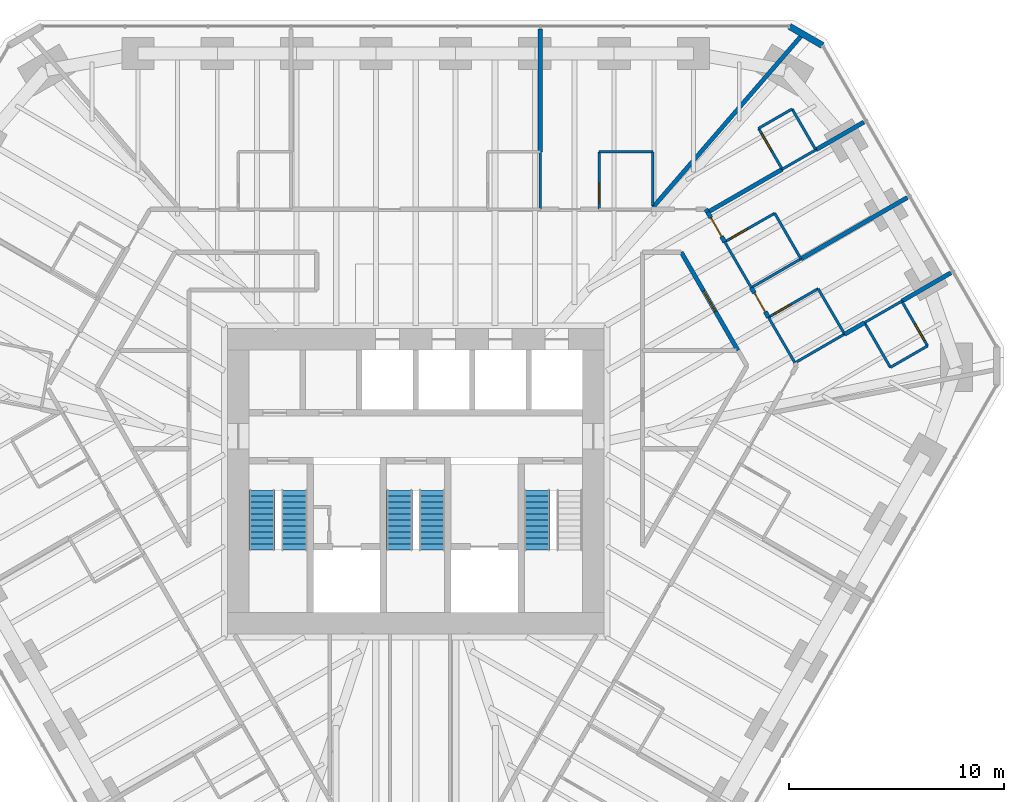
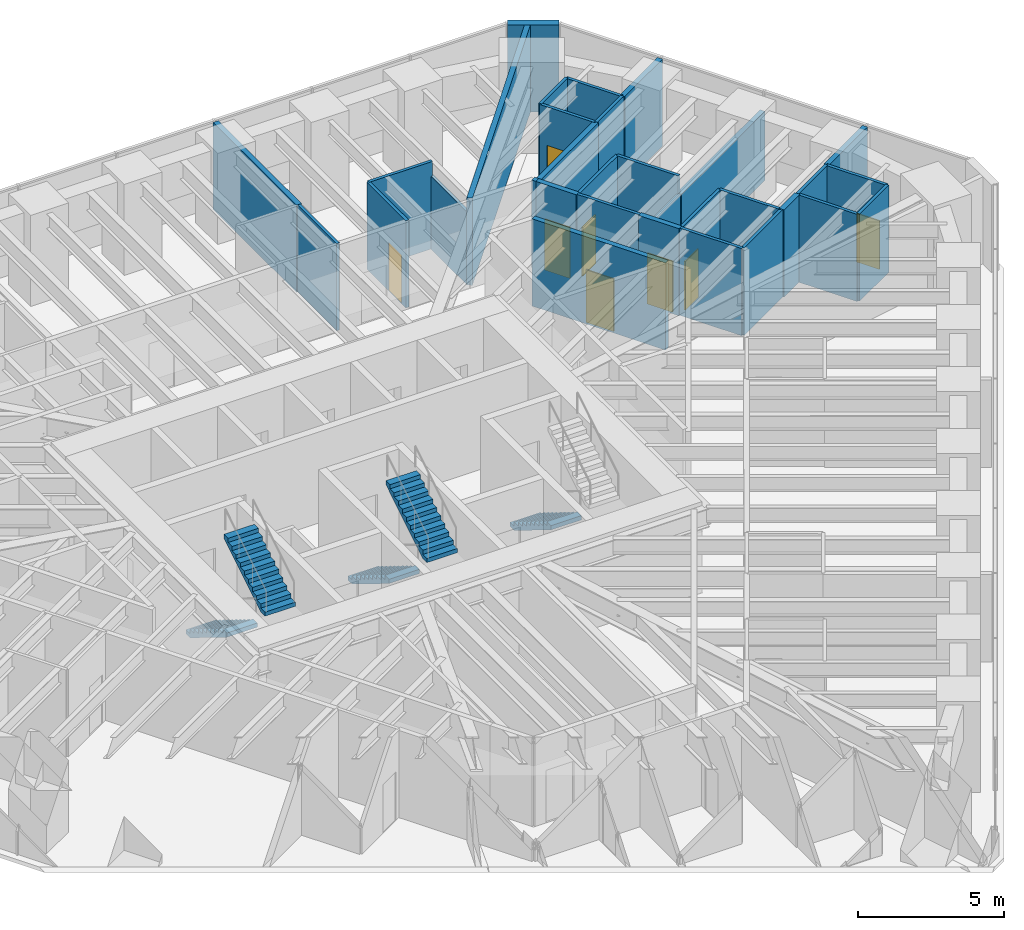
# One storey, part 15 of 17: 32 walls, 8 doors, 5 stair flights, 8 openings, 3 elements without a shape of their own.
"""IFC4 building model written with IfcOpenShell, lengths in metres."""

from ifc_helpers import new_model, si_unit, direction, frame, frame_2d, origin, place, context, subcontext, project, spatial, polyline, rectangle, outline, extrude, material, layer, layer_set, type_object, element, fill, aggregate, save


model = new_model("IFC4")

# Units and contexts
model_context = context("Model", 3, precision=1e-05, world=origin(), true_north=direction((0.0, 1.0)))
body_context = subcontext(model_context, "Body", "Model", "MODEL_VIEW")
ifc_project = project(units=[si_unit("LENGTHUNIT", "METRE"), si_unit("AREAUNIT", "SQUARE_METRE"), si_unit("VOLUMEUNIT", "CUBIC_METRE"), si_unit("PLANEANGLEUNIT", "RADIAN"), si_unit("MASSUNIT", "GRAM", prefix="KILO")], contexts=[model_context])

# Site, building, storey
site_placement = place(None, origin())
site = spatial("IfcSite", under=ifc_project, at=site_placement, CompositionType="ELEMENT")
building_placement = place(site_placement, origin())
building = spatial("IfcBuilding", under=site, at=building_placement, Name="Sandreach Pilgrim Tower", CompositionType="ELEMENT")
storey_placement = place(building_placement, frame((0.0, 0.0, 213.60009765625)))
storey = spatial("IfcBuildingStorey", under=building, at=storey_placement, Name="L53", CompositionType="ELEMENT", Elevation=213.60009765625)

# Wall
ifc_material_1 = material(Name="Moisture-resistant gypsum board on steel studs", Category="steel")
ifc_layer_1 = layer(ifc_material_1, 0.1201171875)
ifc_layer_set_1 = layer_set([ifc_layer_1], Name="Bathroom partition 120")
wall_type_1 = type_object("IfcWallType", Name="Bathroom partition 120", PredefinedType="PARTITIONING", material=ifc_layer_set_1)
wall_1_placement = place(storey_placement, frame((5.800048828125, 15.330078125, 0.0), z_axis=(0.0, 0.0, 1.0), x_axis=(0.0, -1.0, 0.0)))
element("IfcWall", 1, at=wall_1_placement, inside=storey, type_object=wall_type_1, Name="Bathroom partition L53-094", PredefinedType="PARTITIONING", context=body_context, shape_type="SweptSolid", body=[
    extrude(rectangle(XDim=2.670166015625, YDim=0.1201171875, at=frame_2d((1.3349609375, 0.0))), origin(), (0.0, 0.0, 1.0), 3.639892578125),
])

# Wall, opening, door
wall_2_placement = place(storey_placement, frame((8.530029296875, 15.330078125, 0.0), z_axis=(0.0, 0.0, 1.0), x_axis=(0.0, -1.0, 0.0)))
wall_2 = element("IfcWall", 2, at=wall_2_placement, inside=storey, type_object=wall_type_1, Name="Bathroom partition L53-104", PredefinedType="PARTITIONING", context=body_context, shape_type="SweptSolid", body=[
    extrude(rectangle(XDim=2.670166015625, YDim=0.1201171875, at=frame_2d((1.3349609375, 0.0))), origin(), (0.0, 0.0, 1.0), 3.639892578125),
])
opening_1_placement = place(wall_2_placement, frame((1.469970703125, 0.0, 0.0)))
opening_1 = element("IfcOpeningElement", 3, at=opening_1_placement, cuts=wall_2, Name="Opening D09-03B", PredefinedType="OPENING", context=body_context, shape_type="SweptSolid", body=[
    extrude(rectangle(XDim=0.89990234375, YDim=2.030029296875, at=frame_2d((0.449951171875, 1.01513671875))), frame((0.0, 0.06005859375, 0.0), z_axis=(0.0, -1.0, 0.0), x_axis=(1.0, 0.0, 0.0)), (0.0, 0.0, 1.0), 0.1201171875),
])
ifc_material_2 = material(Name="Timber door, steel frame", Category="steel")
door_type_1 = type_object("IfcDoorType", Name="Bathroom door", OperationType="SINGLE_SWING_LEFT", PredefinedType="DOOR", material=ifc_material_2)
door_1_placement = place(opening_1_placement, origin())
door_1 = element("IfcDoor", 4, at=door_1_placement, inside=storey, type_object=door_type_1, Name="Door 5303B", OperationType="SINGLE_SWING_RIGHT", OverallHeight=2.030029296875, OverallWidth=0.89990234375, PredefinedType="DOOR", context=body_context, shape_type="SweptSolid", body=[
    extrude(rectangle(XDim=0.89990234375, YDim=2.030029296875, at=frame_2d((0.449951171875, 1.01513671875))), frame((0.0, 0.02490234375, 0.0), z_axis=(0.0, -1.0, 0.0), x_axis=(1.0, 0.0, 0.0)), (0.0, 0.0, 1.0), 0.050048828125),
])
fill(opening_1, door_1)

# Walls
wall_3_placement = place(storey_placement, frame((11.030029296875, 12.830078125, 0.0), z_axis=(0.0, 0.0, 1.0), x_axis=(0.0, 1.0, 0.0)))
element("IfcWall", 5, at=wall_3_placement, inside=storey, type_object=wall_type_1, Name="Bathroom partition L53-115", PredefinedType="PARTITIONING", context=body_context, shape_type="SweptSolid", body=[
    extrude(rectangle(XDim=2.5, YDim=0.1201171875, at=frame_2d((1.25, 0.0))), origin(), (0.0, 0.0, 1.0), 3.037841796875),
])
wall_4_placement = place(storey_placement, frame((11.030029296875, 15.330078125, 0.0), z_axis=(0.0, 0.0, 1.0), x_axis=(-1.0, 0.0, 0.0)))
element("IfcWall", 6, at=wall_4_placement, inside=storey, type_object=wall_type_1, Name="Bathroom partition L53-116", PredefinedType="PARTITIONING", context=body_context, shape_type="SweptSolid", body=[
    extrude(rectangle(XDim=2.5, YDim=0.1201171875, at=frame_2d((1.25, 0.0))), origin(), (0.0, 0.0, 1.0), 3.639892578125),
])
wall_5_placement = place(storey_placement, frame((14.37548828125, 11.137451171875, 0.0), z_axis=(0.0, 0.0, 1.0), x_axis=(0.501931973027, -0.864907101632, 0.0)))
element("IfcWall", 7, at=wall_5_placement, inside=storey, type_object=wall_type_1, Name="Bathroom partition L53-126", PredefinedType="PARTITIONING", context=body_context, shape_type="SweptSolid", body=[
    extrude(rectangle(XDim=2.459716796875, YDim=0.1201171875, at=frame_2d((1.22998046875, 0.0))), origin(), (0.0, 0.0, 1.0), 3.639892578125),
])

# Wall, opening, door
wall_6_placement = place(storey_placement, frame((15.949951171875, 16.419921875, 0.0), z_axis=(0.0, 0.0, 1.0), x_axis=(0.501088872721, -0.865395829453, 0.0)))
wall_6 = element("IfcWall", 8, at=wall_6_placement, inside=storey, type_object=wall_type_1, Name="Bathroom partition L53-132", PredefinedType="PARTITIONING", context=body_context, shape_type="SweptSolid", body=[
    extrude(rectangle(XDim=2.1953125, YDim=0.1201171875, at=frame_2d((1.09765625, 0.0))), origin(), (0.0, 0.0, 1.0), 3.639892578125),
])
opening_2_placement = place(wall_6_placement, frame((0.300048828125, 0.0, 0.0)))
opening_2 = element("IfcOpeningElement", 9, at=opening_2_placement, cuts=wall_6, Name="Opening D09-04B", PredefinedType="OPENING", context=body_context, shape_type="SweptSolid", body=[
    extrude(rectangle(XDim=0.89990234375, YDim=2.030029296875, at=frame_2d((0.449951171875, 1.01513671875))), frame((0.0, 0.06005859375, 0.0), z_axis=(0.0, -1.0, 0.0), x_axis=(1.0, 0.0, 0.0)), (0.0, 0.0, 1.0), 0.1201171875),
])
door_2_placement = place(opening_2_placement, origin())
door_2 = element("IfcDoor", 10, at=door_2_placement, inside=storey, type_object=door_type_1, Name="Door 5304B", OperationType="SINGLE_SWING_LEFT", OverallHeight=2.030029296875, OverallWidth=0.89990234375, PredefinedType="DOOR", context=body_context, shape_type="SweptSolid", body=[
    extrude(rectangle(XDim=0.89990234375, YDim=2.030029296875, at=frame_2d((0.449951171875, 1.01513671875))), frame((0.0, 0.02490234375, 0.0), z_axis=(0.0, -1.0, 0.0), x_axis=(1.0, 0.0, 0.0)), (0.0, 0.0, 1.0), 0.050048828125),
])
fill(opening_2, door_2)

# Wall
wall_7_placement = place(storey_placement, frame((16.409912109375, 7.6298828125, 0.0), z_axis=(0.0, 0.0, 1.0), x_axis=(0.501856726365, -0.86495076519, 0.0)))
element("IfcWall", 11, at=wall_7_placement, inside=storey, type_object=wall_type_1, Name="Bathroom partition L53-136", PredefinedType="PARTITIONING", context=body_context, shape_type="SweptSolid", body=[
    extrude(rectangle(XDim=2.450927734375, YDim=0.1201171875, at=frame_2d((1.2255859375, 0.0))), origin(), (0.0, 0.0, 1.0), 3.639892578125),
])

# Wall, opening, door
wall_8_placement = place(storey_placement, frame((16.699951171875, 12.469970703125, 0.0), z_axis=(0.0, 0.0, 1.0), x_axis=(-0.867545659855, -0.497357545501, 0.0)))
wall_8 = element("IfcWall", 12, at=wall_8_placement, inside=storey, type_object=wall_type_1, Name="Bathroom partition L53-138", PredefinedType="PARTITIONING", context=body_context, shape_type="SweptSolid", body=[
    extrude(rectangle(XDim=2.67431640625, YDim=0.1201171875, at=frame_2d((1.337158203125, 0.0))), origin(), (0.0, 0.0, 1.0), 3.639892578125),
])
opening_3_placement = place(wall_8_placement, frame((1.47412109375, 0.0, 0.0)))
opening_3 = element("IfcOpeningElement", 13, at=opening_3_placement, cuts=wall_8, Name="Opening D09-05B", PredefinedType="OPENING", context=body_context, shape_type="SweptSolid", body=[
    extrude(rectangle(XDim=0.89990234375, YDim=2.030029296875, at=frame_2d((0.449951171875, 1.01513671875))), frame((0.0, 0.06005859375, 0.0), z_axis=(0.0, -1.0, 0.0), x_axis=(1.0, 0.0, 0.0)), (0.0, 0.0, 1.0), 0.1201171875),
])
door_3_placement = place(opening_3_placement, origin())
door_3 = element("IfcDoor", 14, at=door_3_placement, inside=storey, type_object=door_type_1, Name="Door 5305B", OperationType="SINGLE_SWING_RIGHT", OverallHeight=2.030029296875, OverallWidth=0.89990234375, PredefinedType="DOOR", context=body_context, shape_type="SweptSolid", body=[
    extrude(rectangle(XDim=0.89990234375, YDim=2.030029296875, at=frame_2d((0.449951171875, 1.01513671875))), frame((0.0, 0.02490234375, 0.0), z_axis=(0.0, -1.0, 0.0), x_axis=(1.0, 0.0, 0.0)), (0.0, 0.0, 1.0), 0.050048828125),
])
fill(opening_3, door_3)

# Walls
for number, where, z_axis, x_axis, name in (
    (15, (17.050048828125, 14.52001953125, 0.0), (0.0, 0.0, 1.0), (0.866670415019, 0.498881139883, 0.0), "Bathroom partition L53-139"),
    (16, (17.510009765625, 17.320068359375, 0.0), (0.0, 0.0, 1.0), (-0.866158505053, -0.499769390944, 0.0), "Bathroom partition L53-141"),
):
    element("IfcWall", number, at=place(storey_placement, frame(where, z_axis=z_axis, x_axis=x_axis)), inside=storey, type_object=wall_type_1, Name=name, PredefinedType="PARTITIONING", context=body_context, shape_type="SweptSolid", body=[
        extrude(rectangle(XDim=1.801025390625, YDim=0.1201171875, at=frame_2d((0.900390625, 0.0))), origin(), (0.0, 0.0, 1.0), 3.639892578125),
    ])
wall_9_placement = place(storey_placement, frame((17.639892578125, 5.510009765625, 0.0), z_axis=(0.0, 0.0, 1.0), x_axis=(0.86498992408, 0.501789229896, 0.0)))
element("IfcWall", 17, at=wall_9_placement, inside=storey, type_object=wall_type_1, Name="Bathroom partition L53-142", PredefinedType="PARTITIONING", context=body_context, shape_type="SweptSolid", body=[
    extrude(rectangle(XDim=2.670654296875, YDim=0.1201171875, at=frame_2d((1.33544921875, 0.0))), origin(), (0.0, 0.0, 1.0), 3.639892578125),
])
wall_10_placement = place(storey_placement, frame((17.919921875, 10.35009765625, 0.0), z_axis=(0.0, 0.0, 1.0), x_axis=(-0.864966903181, -0.501828911485, 0.0)))
element("IfcWall", 18, at=wall_10_placement, inside=storey, type_object=wall_type_1, Name="Bathroom partition L53-144", PredefinedType="PARTITIONING", context=body_context, shape_type="SweptSolid", body=[
    extrude(rectangle(XDim=2.67041015625, YDim=0.1201171875, at=frame_2d((1.335205078125, 0.0))), origin(), (0.0, 0.0, 1.0), 2.8779296875),
])
wall_11_placement = place(storey_placement, frame((17.919921875, 10.35009765625, 0.0), z_axis=(0.0, 0.0, 1.0), x_axis=(-0.498791783817, 0.866721844883, 0.0)))
element("IfcWall", 19, at=wall_11_placement, inside=storey, type_object=wall_type_1, Name="Bathroom partition L53-145", PredefinedType="PARTITIONING", context=body_context, shape_type="SweptSolid", body=[
    extrude(rectangle(XDim=2.44580078125, YDim=0.1201171875, at=frame_2d((1.222900390625, 0.0))), origin(), (0.0, 0.0, 1.0), 3.639892578125),
])
wall_12_placement = place(storey_placement, frame((18.610107421875, 15.419921875, 0.0), z_axis=(0.0, 0.0, 1.0), x_axis=(-0.501040653706, 0.865423747845, 0.0)))
element("IfcWall", 20, at=wall_12_placement, inside=storey, type_object=wall_type_1, Name="Bathroom partition L53-147", PredefinedType="PARTITIONING", context=body_context, shape_type="SweptSolid", body=[
    extrude(rectangle(XDim=2.195556640625, YDim=0.1201171875, at=frame_2d((1.09765625, 0.0))), origin(), (0.0, 0.0, 1.0), 3.639892578125),
])

# Wall, opening, door
wall_13_placement = place(storey_placement, frame((18.719970703125, 8.9599609375, 0.0), z_axis=(0.0, 0.0, 1.0), x_axis=(-0.866654860089, -0.498908161372, 0.0)))
wall_13 = element("IfcWall", 21, at=wall_13_placement, inside=storey, type_object=wall_type_1, Name="Bathroom partition L53-149", PredefinedType="PARTITIONING", context=body_context, shape_type="SweptSolid", body=[
    extrude(rectangle(XDim=2.66552734375, YDim=0.1201171875, at=frame_2d((1.332763671875, 0.0))), origin(), (0.0, 0.0, 1.0), 3.639892578125),
])
opening_4_placement = place(wall_13_placement, frame((1.465576171875, 0.0, 0.0)))
opening_4 = element("IfcOpeningElement", 22, at=opening_4_placement, cuts=wall_13, Name="Opening D09-06B", PredefinedType="OPENING", context=body_context, shape_type="SweptSolid", body=[
    extrude(rectangle(XDim=0.89990234375, YDim=2.030029296875, at=frame_2d((0.449951171875, 1.01513671875))), frame((0.0, 0.06005859375, 0.0), z_axis=(0.0, -1.0, 0.0), x_axis=(1.0, 0.0, 0.0)), (0.0, 0.0, 1.0), 0.1201171875),
])
door_4_placement = place(opening_4_placement, origin())
door_4 = element("IfcDoor", 23, at=door_4_placement, inside=storey, type_object=door_type_1, Name="Door 5306B", OperationType="SINGLE_SWING_RIGHT", OverallHeight=2.030029296875, OverallWidth=0.89990234375, PredefinedType="DOOR", context=body_context, shape_type="SweptSolid", body=[
    extrude(rectangle(XDim=0.89990234375, YDim=2.030029296875, at=frame_2d((0.449951171875, 1.01513671875))), frame((0.0, 0.02490234375, 0.0), z_axis=(0.0, -1.0, 0.0), x_axis=(1.0, 0.0, 0.0)), (0.0, 0.0, 1.0), 0.050048828125),
])
fill(opening_4, door_4)

# Walls
wall_14_placement = place(storey_placement, frame((19.949951171875, 6.85009765625, 0.0), z_axis=(0.0, 0.0, 1.0), x_axis=(-0.503634814725, 0.863916647251, 0.0)))
element("IfcWall", 24, at=wall_14_placement, inside=storey, type_object=wall_type_1, Name="Bathroom partition L53-150", PredefinedType="PARTITIONING", context=body_context, shape_type="SweptSolid", body=[
    extrude(rectangle(XDim=2.442138671875, YDim=0.1201171875, at=frame_2d((1.22119140625, 0.0))), origin(), (0.0, 0.0, 1.0), 3.639892578125),
])
wall_15_placement = place(storey_placement, frame((20.878173828125, 7.383056640625, 0.0), z_axis=(0.0, 0.0, 1.0), x_axis=(0.866697688948, 0.498833755847, 0.0)))
element("IfcWall", 25, at=wall_15_placement, inside=storey, type_object=wall_type_1, Name="Bathroom partition L53-151", PredefinedType="PARTITIONING", context=body_context, shape_type="SweptSolid", body=[
    extrude(rectangle(XDim=1.998291015625, YDim=0.1201171875, at=frame_2d((0.9990234375, 0.0))), origin(), (0.0, 0.0, 1.0), 3.639892578125),
])
wall_16_placement = place(storey_placement, frame((20.8798828125, 7.3798828125, 0.0), z_axis=(0.0, 0.0, 1.0), x_axis=(0.499813401482, -0.866133109688, 0.0)))
element("IfcWall", 26, at=wall_16_placement, inside=storey, type_object=wall_type_1, Name="Bathroom partition L53-153", PredefinedType="PARTITIONING", context=body_context, shape_type="SweptSolid", body=[
    extrude(rectangle(XDim=2.4013671875, YDim=0.1201171875, at=frame_2d((1.20068359375, 0.0))), origin(), (0.0, 0.0, 1.0), 3.639892578125),
])
wall_17_placement = place(storey_placement, frame((22.080078125, 5.300048828125, 0.0), z_axis=(0.0, 0.0, 1.0), x_axis=(0.865766263046, 0.50044857655, 0.0)))
element("IfcWall", 27, at=wall_17_placement, inside=storey, type_object=wall_type_1, Name="Bathroom partition L53-154", PredefinedType="PARTITIONING", context=body_context, shape_type="SweptSolid", body=[
    extrude(rectangle(XDim=1.998291015625, YDim=0.1201171875, at=frame_2d((0.9990234375, 0.0))), origin(), (0.0, 0.0, 1.0), 3.639892578125),
])

# Wall, opening, door
wall_18_placement = place(storey_placement, frame((23.81005859375, 6.300048828125, 0.0), z_axis=(0.0, 0.0, 1.0), x_axis=(-0.499737123639, 0.866177122335, 0.0)))
wall_18 = element("IfcWall", 28, at=wall_18_placement, inside=storey, type_object=wall_type_1, Name="Bathroom partition L53-156", PredefinedType="PARTITIONING", context=body_context, shape_type="SweptSolid", body=[
    extrude(rectangle(XDim=2.401123046875, YDim=0.1201171875, at=frame_2d((1.20068359375, 0.0))), origin(), (0.0, 0.0, 1.0), 3.639892578125),
])
opening_5_placement = place(wall_18_placement, frame((0.300048828125, 0.0, 0.0)))
opening_5 = element("IfcOpeningElement", 29, at=opening_5_placement, cuts=wall_18, Name="Opening D09-07B", PredefinedType="OPENING", context=body_context, shape_type="SweptSolid", body=[
    extrude(rectangle(XDim=0.89990234375, YDim=2.030029296875, at=frame_2d((0.449951171875, 1.01513671875))), frame((0.0, 0.06005859375, 0.0), z_axis=(0.0, -1.0, 0.0), x_axis=(1.0, 0.0, 0.0)), (0.0, 0.0, 1.0), 0.1201171875),
])
door_5_placement = place(opening_5_placement, origin())
door_5 = element("IfcDoor", 30, at=door_5_placement, inside=storey, type_object=door_type_1, Name="Door 5307B", OperationType="SINGLE_SWING_LEFT", OverallHeight=2.030029296875, OverallWidth=0.89990234375, PredefinedType="DOOR", context=body_context, shape_type="SweptSolid", body=[
    extrude(rectangle(XDim=0.89990234375, YDim=2.030029296875, at=frame_2d((0.449951171875, 1.01513671875))), frame((0.0, 0.02490234375, 0.0), z_axis=(0.0, -1.0, 0.0), x_axis=(1.0, 0.0, 0.0)), (0.0, 0.0, 1.0), 0.050048828125),
])
fill(opening_5, door_5)

ifc_material_3 = material(Name="Gypsum board on steel studs, two layers each side", Category="steel")
ifc_layer_2 = layer(ifc_material_3, 0.199951171875)
ifc_layer_set_2 = layer_set([ifc_layer_2], Name="Corridor wall 200")
wall_type_2 = type_object("IfcWallType", Name="Corridor wall 200", PredefinedType="PARTITIONING", material=ifc_layer_set_2)
wall_19_placement = place(storey_placement, frame((12.35009765625, 10.659912109375, 0.0), z_axis=(0.0, 0.0, 1.0), x_axis=(0.500213626659, -0.86590203124, 0.0)))
wall_19 = element("IfcWall", 31, at=wall_19_placement, inside=storey, type_object=wall_type_2, Name="Corridor wall L53-119", PredefinedType="PARTITIONING", context=body_context, shape_type="SweptSolid", body=[
    extrude(rectangle(XDim=5.277587890625, YDim=0.199951171875, at=frame_2d((2.638671875, 0.0))), origin(), (0.0, 0.0, 1.0), 3.639892578125),
])
opening_6_placement = place(wall_19_placement, frame((2.0888671875, 0.0, 0.0)))
opening_6 = element("IfcOpeningElement", 32, at=opening_6_placement, cuts=wall_19, Name="Opening D11H-M05", PredefinedType="OPENING", context=body_context, shape_type="SweptSolid", body=[
    extrude(rectangle(XDim=1.10009765625, YDim=2.199951171875, at=frame_2d((0.550048828125, 1.10009765625))), frame((0.0, 0.10009765625, 0.0), z_axis=(0.0, -1.0, 0.0), x_axis=(1.0, 0.0, 0.0)), (0.0, 0.0, 1.0), 0.199951171875),
])
ifc_material_4 = material(Name="Steel door and frame", Category="steel")
door_type_2 = type_object("IfcDoorType", Name="Back of house door", OperationType="SINGLE_SWING_LEFT", PredefinedType="DOOR", material=ifc_material_4)
door_6_placement = place(opening_6_placement, origin())
door_6 = element("IfcDoor", 33, at=door_6_placement, inside=storey, type_object=door_type_2, Name="Door 53M05", OperationType="SINGLE_SWING_LEFT", OverallHeight=2.199951171875, OverallWidth=1.10009765625, PredefinedType="DOOR", context=body_context, shape_type="SweptSolid", body=[
    extrude(rectangle(XDim=1.10009765625, YDim=2.199951171875, at=frame_2d((0.550048828125, 1.10009765625))), frame((0.0, 0.02490234375, 0.0), z_axis=(0.0, -1.0, 0.0), x_axis=(1.0, 0.0, 0.0)), (0.0, 0.0, 1.0), 0.050048828125),
])
fill(opening_6, door_6)

# Wall
wall_20_placement = place(storey_placement, frame((13.5, 12.659912109375, 0.0), z_axis=(0.0, 0.0, 1.0), x_axis=(0.498194987799, -0.867065023013, 0.0)))
element("IfcWall", 34, at=wall_20_placement, inside=storey, type_object=wall_type_2, Name="Corridor wall L53-122", PredefinedType="PARTITIONING", context=body_context, shape_type="SweptSolid", body=[
    extrude(rectangle(XDim=0.166015625, YDim=0.199951171875, at=frame_2d((0.0830078125, 0.0))), origin(), (0.0, 0.0, 1.0), 3.639892578125),
])

# Wall, opening, door
wall_21_placement = place(storey_placement, frame((13.582763671875, 12.515869140625, 0.0), z_axis=(0.0, 0.0, 1.0), x_axis=(0.498534585837, -0.866869809559, 0.0)))
wall_21 = element("IfcWall", 35, at=wall_21_placement, inside=storey, type_object=wall_type_2, Name="Corridor wall L53-123", PredefinedType="PARTITIONING", context=body_context, shape_type="SweptSolid", body=[
    extrude(rectangle(XDim=1.590087890625, YDim=0.199951171875, at=frame_2d((0.794921875, 0.0))), origin(), (0.0, 0.0, 1.0), 3.639892578125),
])
opening_7_placement = place(wall_21_placement, frame((0.295166015625, 0.0, 0.0)))
opening_7 = element("IfcOpeningElement", 36, at=opening_7_placement, cuts=wall_21, Name="Opening D10-05", PredefinedType="OPENING", context=body_context, shape_type="SweptSolid", body=[
    extrude(rectangle(XDim=1.0, YDim=2.1298828125, at=frame_2d((0.5, 1.06494140625))), frame((0.0, 0.10009765625, 0.0), z_axis=(0.0, -1.0, 0.0), x_axis=(1.0, 0.0, 0.0)), (0.0, 0.0, 1.0), 0.199951171875),
])
ifc_material_5 = material(Name="Steel door and frame", Category="steel")
door_type_3 = type_object("IfcDoorType", Name="Guest room entry door", OperationType="SINGLE_SWING_LEFT", PredefinedType="DOOR", material=ifc_material_5)
door_7_placement = place(opening_7_placement, origin())
door_7 = element("IfcDoor", 37, at=door_7_placement, inside=storey, type_object=door_type_3, Name="Door 5305", OperationType="SINGLE_SWING_LEFT", OverallHeight=2.1298828125, OverallWidth=1.0, PredefinedType="DOOR", context=body_context, shape_type="SweptSolid", body=[
    extrude(rectangle(XDim=1.0, YDim=2.1298828125, at=frame_2d((0.5, 1.06494140625))), frame((0.0, 0.02490234375, 0.0), z_axis=(0.0, -1.0, 0.0), x_axis=(1.0, 0.0, 0.0)), (0.0, 0.0, 1.0), 0.050048828125),
])
fill(opening_7, door_7)

wall_22_placement = place(storey_placement, frame((15.610107421875, 9.010009765625, 0.0), z_axis=(0.0, 0.0, 1.0), x_axis=(0.5014706583, -0.865174652232, 0.0)))
wall_22 = element("IfcWall", 38, at=wall_22_placement, inside=storey, type_object=wall_type_2, Name="Corridor wall L53-131", PredefinedType="PARTITIONING", context=body_context, shape_type="SweptSolid", body=[
    extrude(rectangle(XDim=1.594970703125, YDim=0.199951171875, at=frame_2d((0.79736328125, 0.0))), origin(), (0.0, 0.0, 1.0), 3.639892578125),
])
opening_8_placement = place(wall_22_placement, frame((0.297607421875, 0.0, 0.0)))
opening_8 = element("IfcOpeningElement", 39, at=opening_8_placement, cuts=wall_22, Name="Opening D10-06", PredefinedType="OPENING", context=body_context, shape_type="SweptSolid", body=[
    extrude(rectangle(XDim=1.0, YDim=2.1298828125, at=frame_2d((0.5, 1.06494140625))), frame((0.0, 0.10009765625, 0.0), z_axis=(0.0, -1.0, 0.0), x_axis=(1.0, 0.0, 0.0)), (0.0, 0.0, 1.0), 0.199951171875),
])
door_8_placement = place(opening_8_placement, origin())
door_8 = element("IfcDoor", 40, at=door_8_placement, inside=storey, type_object=door_type_3, Name="Door 5306", OperationType="SINGLE_SWING_LEFT", OverallHeight=2.1298828125, OverallWidth=1.0, PredefinedType="DOOR", context=body_context, shape_type="SweptSolid", body=[
    extrude(rectangle(XDim=1.0, YDim=2.1298828125, at=frame_2d((0.5, 1.06494140625))), frame((0.0, 0.02490234375, 0.0), z_axis=(0.0, -1.0, 0.0), x_axis=(1.0, 0.0, 0.0)), (0.0, 0.0, 1.0), 0.050048828125),
])
fill(opening_8, door_8)

# Walls
ifc_material_6 = material(Name="Double steel stud acoustic wall, gypsum board", Category="steel")
ifc_layer_3 = layer(ifc_material_6, 0.199951171875)
ifc_layer_set_3 = layer_set([ifc_layer_3], Name="Party wall 200")
wall_type_3 = type_object("IfcWallType", Name="Party wall 200", PredefinedType="PARTITIONING", material=ifc_layer_set_3)
wall_23_placement = place(storey_placement, frame((5.800048828125, 21.0400390625, 0.0), z_axis=(0.0, 0.0, 1.0), x_axis=(0.0, -1.0, 0.0)))
element("IfcWall", 41, at=wall_23_placement, inside=storey, type_object=wall_type_3, Name="Party wall L53-095", PredefinedType="PARTITIONING", context=body_context, shape_type="SweptSolid", body=[
    extrude(rectangle(XDim=5.7099609375, YDim=0.199951171875, at=frame_2d((2.85498046875, 0.0))), origin(), (0.0, 0.0, 1.0), 3.639892578125),
])
wall_24_placement = place(storey_placement, frame((11.039794921875, 12.751220703125, 0.0), z_axis=(0.0, 0.0, 1.0), x_axis=(0.654384042683, 0.756162366613, 0.0)))
element("IfcWall", 42, at=wall_24_placement, inside=storey, type_object=wall_type_3, Name="Party wall L53-117", PredefinedType="PARTITIONING", context=body_context, shape_type="SweptSolid", body=[
    extrude(rectangle(XDim=10.667236328125, YDim=0.199951171875, at=frame_2d((5.33349609375, 0.0))), origin(), (0.0, 0.0, 1.0), 3.639892578125),
])
wall_25_placement = place(storey_placement, frame((13.59423828125, 12.5224609375, 0.0), z_axis=(0.0, 0.0, 1.0), x_axis=(0.866085778049, 0.499895414124, 0.0)))
element("IfcWall", 43, at=wall_25_placement, inside=storey, type_object=wall_type_3, Name="Party wall L53-124", PredefinedType="PARTITIONING", context=body_context, shape_type="SweptSolid", body=[
    extrude(rectangle(XDim=3.991455078125, YDim=0.199951171875, at=frame_2d((1.99560546875, 0.0))), origin(), (0.0, 0.0, 1.0), 3.639892578125),
])
wall_26_placement = place(storey_placement, frame((17.922607421875, 10.345458984375, 0.0), z_axis=(0.0, 0.0, 1.0), x_axis=(0.865991848905, 0.500058114253, 0.0)))
element("IfcWall", 44, at=wall_26_placement, inside=storey, type_object=wall_type_3, Name="Party wall L53-146", PredefinedType="PARTITIONING", context=body_context, shape_type="SweptSolid", body=[
    extrude(rectangle(XDim=5.708251953125, YDim=0.199951171875, at=frame_2d((2.85400390625, 0.0))), origin(), (0.0, 0.0, 1.0), 2.8779296875),
])
wall_27_placement = place(storey_placement, frame((18.61083984375, 15.41845703125, 0.0), z_axis=(0.0, 0.0, 1.0), x_axis=(0.865870535136, 0.500268144481, 0.0)))
element("IfcWall", 45, at=wall_27_placement, inside=storey, type_object=wall_type_3, Name="Party wall L53-148", PredefinedType="PARTITIONING", context=body_context, shape_type="SweptSolid", body=[
    extrude(rectangle(XDim=2.58154296875, YDim=0.199951171875, at=frame_2d((1.290771484375, 0.0))), origin(), (0.0, 0.0, 1.0), 3.639892578125),
])
wall_28_placement = place(storey_placement, frame((20.8798828125, 7.3798828125, 0.0), z_axis=(0.0, 0.0, 1.0), x_axis=(-0.864855730486, -0.502020483094, 0.0)))
element("IfcWall", 46, at=wall_28_placement, inside=storey, type_object=wall_type_3, Name="Party wall L53-152", PredefinedType="PARTITIONING", context=body_context, shape_type="SweptSolid", body=[
    extrude(rectangle(XDim=1.0751953125, YDim=0.199951171875, at=frame_2d((0.53759765625, 0.0))), origin(), (0.0, 0.0, 1.0), 3.639892578125),
])
wall_29_placement = place(storey_placement, frame((22.610107421875, 8.3798828125, 0.0), z_axis=(0.0, 0.0, 1.0), x_axis=(0.865974560031, 0.500088053625, 0.0)))
element("IfcWall", 47, at=wall_29_placement, inside=storey, type_object=wall_type_3, Name="Party wall L53-155", PredefinedType="PARTITIONING", context=body_context, shape_type="SweptSolid", body=[
    extrude(rectangle(XDim=2.6396484375, YDim=0.199951171875, at=frame_2d((1.31982421875, 0.0))), origin(), (0.0, 0.0, 1.0), 3.639892578125),
])
ifc_material_7 = material(Name="Terracotta rainscreen on concrete", Category="masonry")
ifc_layer_4 = layer(ifc_material_7, 0.300048828125)
ifc_layer_set_4 = layer_set([ifc_layer_4], Name="Terracotta chamfer pier")
wall_type_4 = type_object("IfcWallType", Name="Terracotta chamfer pier", PredefinedType="SOLIDWALL", material=ifc_layer_set_4)
wall_30_placement = place(storey_placement, frame((17.389892578125, 21.16015625, 0.0), z_axis=(0.0, 0.0, 1.0), x_axis=(0.866036293601, -0.499981137809, 0.0)))
element("IfcWall", 48, at=wall_30_placement, inside=storey, type_object=wall_type_4, Name="Chamfer pier L53 N", PredefinedType="SOLIDWALL", context=body_context, shape_type="SweptSolid", body=[
    extrude(rectangle(XDim=1.77001953125, YDim=0.300048828125, at=frame_2d((0.885009765625, 0.0))), origin(), (0.0, 0.0, 1.0), 3.639892578125),
])

# Stair, stair flights
ifc_material_8 = material(Name="Concrete 8000 psi", Category="concrete")
stair_type = type_object("IfcStairType", Name="Core exit stair", PredefinedType="HALF_TURN_STAIR", material=ifc_material_8)
stair_1_placement = place(storey_placement, origin())
stair_1 = element("IfcStair", 49, at=stair_1_placement, inside=storey, type_object=stair_type, Name="Exit stair ST1 L53", PredefinedType="HALF_TURN_STAIR")
ifc_material_9 = material(Name="Concrete 8000 psi", Category="concrete")
stair_flight_type = type_object("IfcStairFlightType", Name="Core stair flight 1200", PredefinedType="STRAIGHT", material=ifc_material_9)
stair_flight_1_placement = place(storey_placement, frame((-7.14990234375, -0.39990234375, 0.0), z_axis=(0.0, 0.0, 1.0), x_axis=(0.0, -1.0, 0.0)))
stair_flight_1 = element("IfcStairFlight", 50, at=stair_flight_1_placement, type_object=stair_flight_type, Name="ST1 flight 1", NumberOfRisers=11, NumberOfTreads=10, PredefinedType="STRAIGHT", RiserHeight=0.172727273, TreadLength=0.28, context=body_context, shape_type="SweptSolid", body=[
    extrude(outline(polyline([(0.0, 0.0), (0.0, 0.172607421875), (0.280029296875, 0.172607421875), (0.280029296875, 0.345458984375), (0.56005859375, 0.345458984375), (0.56005859375, 0.51806640625), (0.840087890625, 0.51806640625), (0.840087890625, 0.69091796875), (1.1201171875, 0.69091796875), (1.1201171875, 0.863525390625), (1.39990234375, 0.863525390625), (1.39990234375, 1.036376953125), (1.679931640625, 1.036376953125), (1.679931640625, 1.208984375), (1.9599609375, 1.208984375), (1.9599609375, 1.3818359375), (2.239990234375, 1.3818359375), (2.239990234375, 1.554443359375), (2.52001953125, 1.554443359375), (2.52001953125, 1.727294921875), (2.800048828125, 1.727294921875), (2.800048828125, 1.89990234375), (2.800048828125, 1.551025390625), (0.285400390625, 0.0), (0.0, 0.0)])), frame((0.0, 0.60009765625, 0.0), z_axis=(0.0, -1.0, 0.0), x_axis=(1.0, 0.0, 0.0)), (0.0, 0.0, 1.0), 1.199951171875),
])
stair_flight_2_placement = place(storey_placement, frame((-5.64990234375, -3.199951171875, 1.89990234375), z_axis=(0.0, 0.0, 1.0), x_axis=(0.0, 1.0, 0.0)))
stair_flight_2 = element("IfcStairFlight", 51, at=stair_flight_2_placement, type_object=stair_flight_type, Name="ST1 flight 2", NumberOfRisers=11, NumberOfTreads=10, PredefinedType="STRAIGHT", RiserHeight=0.172727273, TreadLength=0.28, context=body_context, shape_type="SweptSolid", body=[
    extrude(outline(polyline([(0.0, 0.0), (0.0, 0.172607421875), (0.280029296875, 0.172607421875), (0.280029296875, 0.345458984375), (0.56005859375, 0.345458984375), (0.56005859375, 0.51806640625), (0.840087890625, 0.51806640625), (0.840087890625, 0.69091796875), (1.1201171875, 0.69091796875), (1.1201171875, 0.863525390625), (1.39990234375, 0.863525390625), (1.39990234375, 1.036376953125), (1.679931640625, 1.036376953125), (1.679931640625, 1.208984375), (1.9599609375, 1.208984375), (1.9599609375, 1.3818359375), (2.239990234375, 1.3818359375), (2.239990234375, 1.554443359375), (2.52001953125, 1.554443359375), (2.52001953125, 1.727294921875), (2.800048828125, 1.727294921875), (2.800048828125, 1.89990234375), (2.800048828125, 1.551025390625), (0.285400390625, 0.0), (0.0, 0.0)])), frame((0.0, 0.60009765625, 0.0), z_axis=(0.0, -1.0, 0.0), x_axis=(1.0, 0.0, 0.0)), (0.0, 0.0, 1.0), 1.199951171875),
])
aggregate(stair_1, [stair_flight_1, stair_flight_2])

stair_2_placement = place(storey_placement, origin())
stair_2 = element("IfcStair", 52, at=stair_2_placement, inside=storey, type_object=stair_type, Name="Exit stair ST3 L53", PredefinedType="HALF_TURN_STAIR")
stair_flight_3_placement = place(storey_placement, frame((-0.75, -0.39990234375, 0.0), z_axis=(0.0, 0.0, 1.0), x_axis=(0.0, -1.0, 0.0)))
stair_flight_3 = element("IfcStairFlight", 53, at=stair_flight_3_placement, type_object=stair_flight_type, Name="ST3 flight 1", NumberOfRisers=11, NumberOfTreads=10, PredefinedType="STRAIGHT", RiserHeight=0.172727273, TreadLength=0.28, context=body_context, shape_type="SweptSolid", body=[
    extrude(outline(polyline([(0.0, 0.0), (0.0, 0.172607421875), (0.280029296875, 0.172607421875), (0.280029296875, 0.345458984375), (0.56005859375, 0.345458984375), (0.56005859375, 0.51806640625), (0.840087890625, 0.51806640625), (0.840087890625, 0.69091796875), (1.1201171875, 0.69091796875), (1.1201171875, 0.863525390625), (1.39990234375, 0.863525390625), (1.39990234375, 1.036376953125), (1.679931640625, 1.036376953125), (1.679931640625, 1.208984375), (1.9599609375, 1.208984375), (1.9599609375, 1.3818359375), (2.239990234375, 1.3818359375), (2.239990234375, 1.554443359375), (2.52001953125, 1.554443359375), (2.52001953125, 1.727294921875), (2.800048828125, 1.727294921875), (2.800048828125, 1.89990234375), (2.800048828125, 1.551025390625), (0.285400390625, 0.0), (0.0, 0.0)])), frame((0.0, 0.60009765625, 0.0), z_axis=(0.0, -1.0, 0.0), x_axis=(1.0, 0.0, 0.0)), (0.0, 0.0, 1.0), 1.199951171875),
])
stair_flight_4_placement = place(storey_placement, frame((0.75, -3.199951171875, 1.89990234375), z_axis=(0.0, 0.0, 1.0), x_axis=(0.0, 1.0, 0.0)))
stair_flight_4 = element("IfcStairFlight", 54, at=stair_flight_4_placement, type_object=stair_flight_type, Name="ST3 flight 2", NumberOfRisers=11, NumberOfTreads=10, PredefinedType="STRAIGHT", RiserHeight=0.172727273, TreadLength=0.28, context=body_context, shape_type="SweptSolid", body=[
    extrude(outline(polyline([(0.0, 0.0), (0.0, 0.172607421875), (0.280029296875, 0.172607421875), (0.280029296875, 0.345458984375), (0.56005859375, 0.345458984375), (0.56005859375, 0.51806640625), (0.840087890625, 0.51806640625), (0.840087890625, 0.69091796875), (1.1201171875, 0.69091796875), (1.1201171875, 0.863525390625), (1.39990234375, 0.863525390625), (1.39990234375, 1.036376953125), (1.679931640625, 1.036376953125), (1.679931640625, 1.208984375), (1.9599609375, 1.208984375), (1.9599609375, 1.3818359375), (2.239990234375, 1.3818359375), (2.239990234375, 1.554443359375), (2.52001953125, 1.554443359375), (2.52001953125, 1.727294921875), (2.800048828125, 1.727294921875), (2.800048828125, 1.89990234375), (2.800048828125, 1.551025390625), (0.285400390625, 0.0), (0.0, 0.0)])), frame((0.0, 0.60009765625, 0.0), z_axis=(0.0, -1.0, 0.0), x_axis=(1.0, 0.0, 0.0)), (0.0, 0.0, 1.0), 1.199951171875),
])
aggregate(stair_2, [stair_flight_3, stair_flight_4])

# Stair, stair flight
stair_3_placement = place(storey_placement, origin())
stair_3 = element("IfcStair", 55, at=stair_3_placement, inside=storey, type_object=stair_type, Name="Exit stair ST2 L53", PredefinedType="HALF_TURN_STAIR")
stair_flight_5_placement = place(storey_placement, frame((5.64990234375, -0.39990234375, 0.0), z_axis=(0.0, 0.0, 1.0), x_axis=(0.0, -1.0, 0.0)))
stair_flight_5 = element("IfcStairFlight", 56, at=stair_flight_5_placement, type_object=stair_flight_type, Name="ST2 flight 1", NumberOfRisers=11, NumberOfTreads=10, PredefinedType="STRAIGHT", RiserHeight=0.172727273, TreadLength=0.28, context=body_context, shape_type="SweptSolid", body=[
    extrude(outline(polyline([(0.0, 0.0), (0.0, 0.172607421875), (0.280029296875, 0.172607421875), (0.280029296875, 0.345458984375), (0.56005859375, 0.345458984375), (0.56005859375, 0.51806640625), (0.840087890625, 0.51806640625), (0.840087890625, 0.69091796875), (1.1201171875, 0.69091796875), (1.1201171875, 0.863525390625), (1.39990234375, 0.863525390625), (1.39990234375, 1.036376953125), (1.679931640625, 1.036376953125), (1.679931640625, 1.208984375), (1.9599609375, 1.208984375), (1.9599609375, 1.3818359375), (2.239990234375, 1.3818359375), (2.239990234375, 1.554443359375), (2.52001953125, 1.554443359375), (2.52001953125, 1.727294921875), (2.800048828125, 1.727294921875), (2.800048828125, 1.89990234375), (2.800048828125, 1.551025390625), (0.285400390625, 0.0), (0.0, 0.0)])), frame((0.0, 0.60009765625, 0.0), z_axis=(0.0, -1.0, 0.0), x_axis=(1.0, 0.0, 0.0)), (0.0, 0.0, 1.0), 1.199951171875),
])
aggregate(stair_3, [stair_flight_5])

save(model, "model.ifc")
